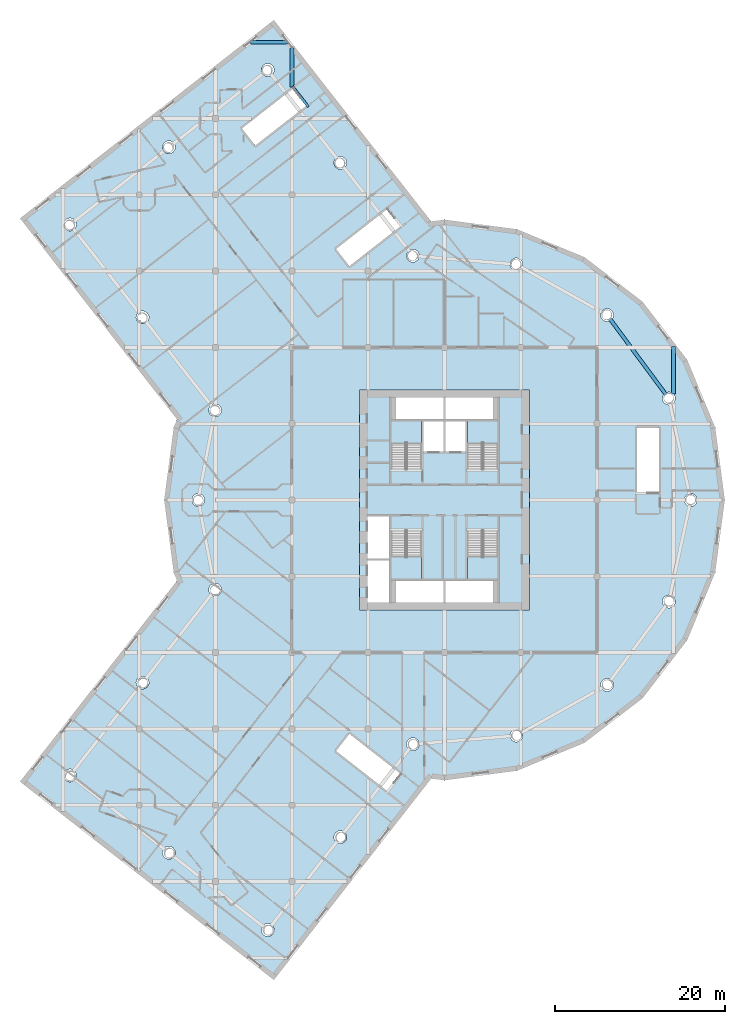
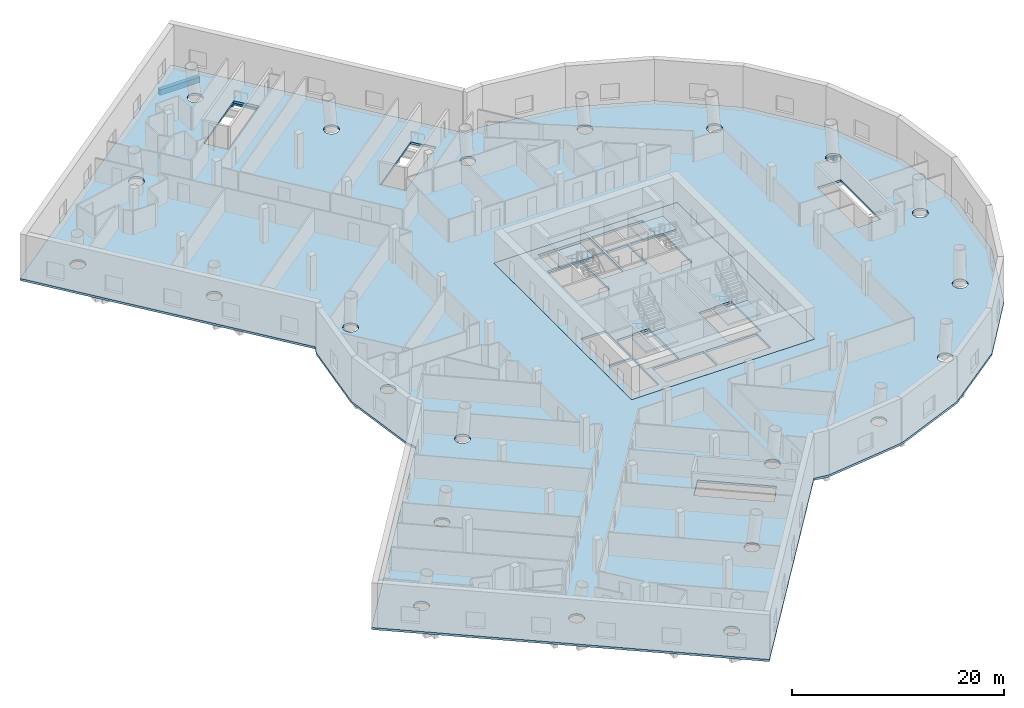
# One storey, part 3 of 15: 6 slabs, 5 beams, 4 elements without a shape of their own.
"""IFC4 building model written with IfcOpenShell, lengths in metres."""

from ifc_helpers import new_model, si_unit, direction, frame, origin, origin_2d, place, context, subcontext, project, spatial, polyline, rectangle, i_section, outline, extrude, material, layer, layer_set, material_profile, profile_set, type_object, element, aggregate, save


model = new_model("IFC4")

# Units and contexts
model_context = context("Model", 3, precision=1e-05, world=origin(), true_north=direction((0.0, 1.0)))
body_context = subcontext(model_context, "Body", "Model", "MODEL_VIEW")
ifc_project = project(units=[si_unit("LENGTHUNIT", "METRE"), si_unit("AREAUNIT", "SQUARE_METRE"), si_unit("VOLUMEUNIT", "CUBIC_METRE"), si_unit("PLANEANGLEUNIT", "RADIAN"), si_unit("MASSUNIT", "GRAM", prefix="KILO")], contexts=[model_context])

# Site, building, storey
site_placement = place(None, origin())
site = spatial("IfcSite", under=ifc_project, at=site_placement, CompositionType="ELEMENT")
building_placement = place(site_placement, origin())
building = spatial("IfcBuilding", under=site, at=building_placement, Name="Tarsis Ring Headquarters", CompositionType="ELEMENT")
storey_placement = place(building_placement, frame((0.0, 0.0, 30.0)))
storey = spatial("IfcBuildingStorey", under=building, at=storey_placement, Name="L05", CompositionType="ELEMENT", Elevation=30.0)

# Beams
ifc_material_1 = material(Name="Concrete C40/50", Category="concrete")
ifc_material_profile_1 = material_profile(ifc_material_1, rectangle(XDim=0.449951171875, YDim=0.64990234375, at=origin_2d()), Name="PO-B450")
ifc_profile_set_1 = profile_set([ifc_material_profile_1], Name="Concrete C40/50")
beam_type_1 = type_object("IfcBeamType", Name="PO-B450", PredefinedType="BEAM", material=ifc_profile_set_1)
beam_1_placement = place(storey_placement, frame((-18.0, 48.7314453125, -0.574951171875), z_axis=(0.0, 1.0, 0.0), x_axis=(-1.0, 0.0, 0.0)))
element("IfcBeam", 1, at=beam_1_placement, inside=storey, type_object=beam_type_1, Name="L05 floor beam 33", PredefinedType="BEAM", context=body_context, shape_type="SweptSolid", body=[
    extrude(rectangle(XDim=0.449951171875, YDim=0.64990234375, at=origin_2d()), origin(), (0.0, 0.0, 1.0), 4.60009765625),
])
beam_2_placement = place(storey_placement, frame((27.0, 12.4990234375, -0.574951171875), z_axis=(0.0, 1.0, 0.0), x_axis=(-1.0, 0.0, 0.0)))
element("IfcBeam", 2, at=beam_2_placement, inside=storey, type_object=beam_type_1, Name="L05 floor beam 58", PredefinedType="BEAM", context=body_context, shape_type="SweptSolid", body=[
    extrude(rectangle(XDim=0.449951171875, YDim=0.64990234375, at=origin_2d()), origin(), (0.0, 0.0, 1.0), 5.58203125),
])
beam_3_placement = place(storey_placement, frame((-22.89794921875, 54.0, -0.574951171875), z_axis=(1.0, 0.0, 0.0), x_axis=(0.0, 1.0, 0.0)))
element("IfcBeam", 3, at=beam_3_placement, inside=storey, type_object=beam_type_1, Name="L05 floor beam 111", PredefinedType="BEAM", context=body_context, shape_type="SweptSolid", body=[
    extrude(rectangle(XDim=0.449951171875, YDim=0.64990234375, at=origin_2d()), origin(), (0.0, 0.0, 1.0), 4.375732421875),
])
ifc_material_2 = material(Name="Concrete C60/75", Category="concrete")
ifc_material_profile_2 = material_profile(ifc_material_2, rectangle(XDim=0.300048828125, YDim=0.300048828125, at=origin_2d()), Name="PO-SHB300")
ifc_profile_set_2 = profile_set([ifc_material_profile_2], Name="Concrete C60/75")
beam_type_2 = type_object("IfcBeamType", Name="PO-SHB300", PredefinedType="BEAM", material=ifc_profile_set_2)
beam_4_placement = place(storey_placement, frame((-17.93212890625, 48.78466796875, -0.39990234375), z_axis=(0.615358201785, -0.788247602911, 0.0), x_axis=(0.788247602911, 0.615358201785, 0.0)))
element("IfcBeam", 4, at=beam_4_placement, inside=storey, type_object=beam_type_2, Name="Stair head beam L05 PS4", PredefinedType="BEAM", context=body_context, shape_type="SweptSolid", body=[
    extrude(rectangle(XDim=0.300048828125, YDim=0.300048828125, at=origin_2d()), origin(), (0.0, 0.0, 1.0), 3.05029296875),
])
ifc_material_3 = material(Name="Structural steel S355", Category="steel")
ifc_material_profile_3 = material_profile(ifc_material_3, i_section(OverallWidth=0.42431640625, OverallDepth=0.947509765625, WebThickness=0.02392578125, FlangeThickness=0.042724609375, at=origin_2d()), Name="W36x302")
ifc_profile_set_3 = profile_set([ifc_material_profile_3], Name="Structural steel S355")
beam_type_3 = type_object("IfcBeamType", Name="XG Ring girder W36x302", PredefinedType="BEAM", material=ifc_profile_set_3)
beam_5_placement = place(storey_placement, frame((26.1396484375, 12.41455078125, -0.7236328125), z_axis=(-0.595024911632, 0.80370725674, 0.0), x_axis=(-0.80370725674, -0.595024911632, 0.0)))
element("IfcBeam", 5, at=beam_5_placement, inside=storey, type_object=beam_type_3, Name="Ring girder XG1", PredefinedType="BEAM", context=body_context, shape_type="SweptSolid", body=[
    extrude(i_section(OverallWidth=0.42431640625, OverallDepth=0.947509765625, WebThickness=0.02392578125, FlangeThickness=0.042724609375, at=origin_2d()), origin(), (0.0, 0.0, 1.0), 11.151611328125),
])

# Slab
ifc_layer_1 = layer(ifc_material_1, 0.25)
ifc_layer_set_1 = layer_set([ifc_layer_1], Name="Core floor slab 250 C40/50")
slab_type_1 = type_object("IfcSlabType", Name="Core floor slab 250 C40/50", PredefinedType="FLOOR", material=ifc_layer_set_1)
slab_1_placement = place(storey_placement, frame((0.0, 0.0, -0.25)))
element("IfcSlab", 6, at=slab_1_placement, inside=storey, type_object=slab_type_1, Name="L05 core floor slab", PredefinedType="FLOOR", context=body_context, shape_type="SweptSolid", body=[
    extrude(outline(polyline([(-10.0, -13.0), (10.0, -13.0), (10.0, 13.0), (-10.0, 13.0), (-10.0, -13.0)]), holes=[polyline([(-2.5, 5.699951171875), (-0.10009765625, 5.699951171875), (-0.10009765625, 9.300048828125), (-2.5, 9.300048828125), (-2.5, 5.699951171875)]), polyline([(0.10009765625, 5.699951171875), (2.5, 5.699951171875), (2.5, 9.300048828125), (0.10009765625, 9.300048828125), (0.10009765625, 5.699951171875)]), polyline([(-9.10009765625, -12.10009765625), (-6.5, -12.10009765625), (-6.5, -7.10009765625), (-9.10009765625, -7.10009765625), (-9.10009765625, -12.10009765625)]), polyline([(-9.10009765625, -6.89990234375), (-6.5, -6.89990234375), (-6.5, -1.89990234375), (-9.10009765625, -1.89990234375), (-9.10009765625, -6.89990234375)]), polyline([(-5.699951171875, 9.5), (-0.10009765625, 9.5), (-0.10009765625, 12.10009765625), (-5.699951171875, 12.10009765625), (-5.699951171875, 9.5)]), polyline([(0.10009765625, 9.5), (5.699951171875, 9.5), (5.699951171875, 12.10009765625), (0.10009765625, 12.10009765625), (0.10009765625, 9.5)]), polyline([(-5.699951171875, -12.10009765625), (-0.10009765625, -12.10009765625), (-0.10009765625, -9.5), (-5.699951171875, -9.5), (-5.699951171875, -12.10009765625)]), polyline([(0.10009765625, -12.10009765625), (5.699951171875, -12.10009765625), (5.699951171875, -9.5), (0.10009765625, -9.5), (0.10009765625, -12.10009765625)]), polyline([(-2.699951171875, 3.760009765625), (-2.699951171875, 9.300048828125), (-6.300048828125, 9.300048828125), (-6.300048828125, 3.659912109375), (-4.4599609375, 3.659912109375), (-4.4599609375, 3.760009765625), (-2.699951171875, 3.760009765625)]), polyline([(6.300048828125, 3.760009765625), (6.300048828125, 9.300048828125), (2.699951171875, 9.300048828125), (2.699951171875, 3.659912109375), (4.5400390625, 3.659912109375), (4.5400390625, 3.760009765625), (6.300048828125, 3.760009765625)]), polyline([(-6.300048828125, -3.760009765625), (-6.300048828125, -9.300048828125), (-2.699951171875, -9.300048828125), (-2.699951171875, -3.659912109375), (-4.5400390625, -3.659912109375), (-4.5400390625, -3.760009765625), (-6.300048828125, -3.760009765625)]), polyline([(2.699951171875, -3.760009765625), (2.699951171875, -9.300048828125), (6.300048828125, -9.300048828125), (6.300048828125, -3.659912109375), (4.4599609375, -3.659912109375), (4.4599609375, -3.760009765625), (2.699951171875, -3.760009765625)])]), origin(), (0.0, 0.0, 1.0), 0.25),
])

# Stair, slab
ifc_material_4 = material(Name="Core stair 1760")
stair_type = type_object("IfcStairType", Name="Core stair 1760", PredefinedType="HALF_TURN_STAIR", material=ifc_material_4)
stair_1_placement = place(storey_placement, origin())
stair_1 = element("IfcStair", 7, at=stair_1_placement, inside=storey, type_object=stair_type, Name="L05 Firefighting stair", PredefinedType="HALF_TURN_STAIR")
ifc_layer_2 = layer(ifc_material_1, 0.199951171875)
ifc_layer_set_2 = layer_set([ifc_layer_2], Name="Core stair landing 200")
slab_type_2 = type_object("IfcSlabType", Name="Core stair landing 200", PredefinedType="LANDING", material=ifc_layer_set_2)
slab_2_placement = place(storey_placement, frame((0.0, 0.0, 1.800048828125)))
slab_2 = element("IfcSlab", 8, at=slab_2_placement, type_object=slab_type_2, Name="Stair ST1 landing 1", PredefinedType="LANDING", context=body_context, shape_type="SweptSolid", body=[
    extrude(outline(polyline([(-2.699951171875, 6.739990234375), (-2.699951171875, 9.300048828125), (-6.300048828125, 9.300048828125), (-6.300048828125, 6.739990234375), (-2.699951171875, 6.739990234375)])), origin(), (0.0, 0.0, 1.0), 0.199951171875),
])
aggregate(stair_1, [slab_2])

stair_2_placement = place(storey_placement, origin())
stair_2 = element("IfcStair", 9, at=stair_2_placement, inside=storey, type_object=stair_type, Name="L05 Exit stair B", PredefinedType="HALF_TURN_STAIR")
slab_3_placement = place(storey_placement, frame((0.0, 0.0, 1.800048828125)))
slab_3 = element("IfcSlab", 10, at=slab_3_placement, type_object=slab_type_2, Name="Stair ST2 landing 1", PredefinedType="LANDING", context=body_context, shape_type="SweptSolid", body=[
    extrude(outline(polyline([(6.300048828125, 6.739990234375), (6.300048828125, 9.300048828125), (2.699951171875, 9.300048828125), (2.699951171875, 6.739990234375), (6.300048828125, 6.739990234375)])), origin(), (0.0, 0.0, 1.0), 0.199951171875),
])
aggregate(stair_2, [slab_3])

stair_3_placement = place(storey_placement, origin())
stair_3 = element("IfcStair", 11, at=stair_3_placement, inside=storey, type_object=stair_type, Name="L05 Exit stair C", PredefinedType="HALF_TURN_STAIR")
slab_4_placement = place(storey_placement, frame((0.0, 0.0, 1.800048828125)))
slab_4 = element("IfcSlab", 12, at=slab_4_placement, type_object=slab_type_2, Name="Stair ST3 landing 1", PredefinedType="LANDING", context=body_context, shape_type="SweptSolid", body=[
    extrude(outline(polyline([(-6.300048828125, -6.739990234375), (-6.300048828125, -9.300048828125), (-2.699951171875, -9.300048828125), (-2.699951171875, -6.739990234375), (-6.300048828125, -6.739990234375)])), origin(), (0.0, 0.0, 1.0), 0.199951171875),
])
aggregate(stair_3, [slab_4])

stair_4_placement = place(storey_placement, origin())
stair_4 = element("IfcStair", 13, at=stair_4_placement, inside=storey, type_object=stair_type, Name="L05 Exit stair D", PredefinedType="HALF_TURN_STAIR")
slab_5_placement = place(storey_placement, frame((0.0, 0.0, 1.800048828125)))
slab_5 = element("IfcSlab", 14, at=slab_5_placement, type_object=slab_type_2, Name="Stair ST4 landing 1", PredefinedType="LANDING", context=body_context, shape_type="SweptSolid", body=[
    extrude(outline(polyline([(2.699951171875, -6.739990234375), (2.699951171875, -9.300048828125), (6.300048828125, -9.300048828125), (6.300048828125, -6.739990234375), (2.699951171875, -6.739990234375)])), origin(), (0.0, 0.0, 1.0), 0.199951171875),
])
aggregate(stair_4, [slab_5])

# Slab
ifc_layer_3 = layer(ifc_material_1, 0.25)
ifc_layer_set_3 = layer_set([ifc_layer_3], Name="PO-S250")
slab_type_3 = type_object("IfcSlabType", Name="PO-S250", PredefinedType="FLOOR", material=ifc_layer_set_3)
slab_6_placement = place(storey_placement, frame((0.0, 0.0, -0.25)))
element("IfcSlab", 15, at=slab_6_placement, inside=storey, type_object=slab_type_3, Name="L05 podium floor slab", PredefinedType="FLOOR", context=body_context, shape_type="SweptSolid", body=[
    extrude(outline(polyline([(-50.06494140625, 33.218994140625), (-31.539794921875, 9.508056640625), (-31.933837890625, 8.556640625), (-33.060302734375, 0.0), (-31.933837890625, -8.556640625), (-31.539794921875, -9.508056640625), (-50.06494140625, -33.218994140625), (-20.12060546875, -56.6142578125), (-1.55810546875, -32.855224609375), (0.0, -33.060302734375), (8.556640625, -31.933837890625), (16.5302734375, -28.631103515625), (23.377197265625, -23.377197265625), (28.631103515625, -16.5302734375), (31.933837890625, -8.556640625), (33.060302734375, 0.0), (31.933837890625, 8.556640625), (28.631103515625, 16.5302734375), (23.377197265625, 23.377197265625), (16.5302734375, 28.631103515625), (8.556640625, 31.933837890625), (0.0, 33.060302734375), (-1.55810546875, 32.855224609375), (-20.12060546875, 56.6142578125), (-50.06494140625, 33.218994140625)]), holes=[polyline([(-20.844482421875, -51.46875), (-21.03857421875, -51.443115234375), (-21.219482421875, -51.3681640625), (-21.374755859375, -51.2490234375), (-21.493896484375, -51.09375), (-21.56884765625, -50.912841796875), (-21.594482421875, -50.71875), (-21.56884765625, -50.524658203125), (-21.493896484375, -50.34375), (-21.374755859375, -50.1884765625), (-21.219482421875, -50.0693359375), (-21.03857421875, -49.994384765625), (-20.844482421875, -49.96875), (-20.650146484375, -49.994384765625), (-20.469482421875, -50.0693359375), (-20.31396484375, -50.1884765625), (-20.19482421875, -50.34375), (-20.119873046875, -50.524658203125), (-20.094482421875, -50.71875), (-20.119873046875, -50.912841796875), (-20.19482421875, -51.09375), (-20.31396484375, -51.2490234375), (-20.469482421875, -51.3681640625), (-20.650146484375, -51.443115234375), (-20.844482421875, -51.46875)]), polyline([(-32.700927734375, -42.331298828125), (-32.8818359375, -42.256591796875), (-33.037353515625, -42.13720703125), (-33.156494140625, -41.98193359375), (-33.2314453125, -41.801025390625), (-33.2568359375, -41.60693359375), (-33.2314453125, -41.412841796875), (-33.156494140625, -41.23193359375), (-33.037353515625, -41.07666015625), (-32.8818359375, -40.95751953125), (-32.700927734375, -40.882568359375), (-32.5068359375, -40.85693359375), (-32.312744140625, -40.882568359375), (-32.1318359375, -40.95751953125), (-31.9765625, -41.07666015625), (-31.857421875, -41.23193359375), (-31.782470703125, -41.412841796875), (-31.7568359375, -41.60693359375), (-31.782470703125, -41.801025390625), (-31.857421875, -41.98193359375), (-31.9765625, -42.13720703125), (-32.1318359375, -42.256591796875), (-32.312744140625, -42.331298828125), (-32.5068359375, -42.35693359375), (-32.700927734375, -42.331298828125)]), polyline([(-12.4794921875, -40.488037109375), (-12.660400390625, -40.4130859375), (-12.815673828125, -40.2939453125), (-12.934814453125, -40.138671875), (-13.009765625, -39.957763671875), (-13.035400390625, -39.763671875), (-13.009765625, -39.569580078125), (-12.934814453125, -39.388671875), (-12.815673828125, -39.2333984375), (-12.660400390625, -39.114013671875), (-12.4794921875, -39.039306640625), (-12.285400390625, -39.013671875), (-12.091064453125, -39.039306640625), (-11.910400390625, -39.114013671875), (-11.7548828125, -39.2333984375), (-11.6357421875, -39.388671875), (-11.560791015625, -39.569580078125), (-11.535400390625, -39.763671875), (-11.560791015625, -39.957763671875), (-11.6357421875, -40.138671875), (-11.7548828125, -40.2939453125), (-11.910400390625, -40.4130859375), (-12.091064453125, -40.488037109375), (-12.285400390625, -40.513671875), (-12.4794921875, -40.488037109375)]), polyline([(-44.16943359375, -33.2451171875), (-44.363525390625, -33.2197265625), (-44.54443359375, -33.144775390625), (-44.69970703125, -33.025390625), (-44.819091796875, -32.8701171875), (-44.89404296875, -32.689208984375), (-44.91943359375, -32.4951171875), (-44.89404296875, -32.301025390625), (-44.819091796875, -32.1201171875), (-44.69970703125, -31.96484375), (-44.54443359375, -31.845703125), (-44.363525390625, -31.770751953125), (-44.16943359375, -31.7451171875), (-43.975341796875, -31.770751953125), (-43.79443359375, -31.845703125), (-43.63916015625, -31.96484375), (-43.52001953125, -32.1201171875), (-43.445068359375, -32.301025390625), (-43.41943359375, -32.4951171875), (-43.445068359375, -32.689208984375), (-43.52001953125, -32.8701171875), (-43.63916015625, -33.025390625), (-43.79443359375, -33.144775390625), (-43.975341796875, -33.2197265625), (-44.16943359375, -33.2451171875)]), polyline([(-35.804443359375, -22.264404296875), (-35.9853515625, -22.189697265625), (-36.140625, -22.0703125), (-36.260009765625, -21.9150390625), (-36.3349609375, -21.734130859375), (-36.3603515625, -21.5400390625), (-36.3349609375, -21.345947265625), (-36.260009765625, -21.1650390625), (-36.140625, -21.009765625), (-35.9853515625, -20.890625), (-35.804443359375, -20.815673828125), (-35.6103515625, -20.7900390625), (-35.416259765625, -20.815673828125), (-35.2353515625, -20.890625), (-35.080078125, -21.009765625), (-34.9609375, -21.1650390625), (-34.885986328125, -21.345947265625), (-34.8603515625, -21.5400390625), (-34.885986328125, -21.734130859375), (-34.9609375, -21.9150390625), (-35.080078125, -22.0703125), (-35.2353515625, -22.189697265625), (-35.416259765625, -22.264404296875), (-35.6103515625, -22.2900390625), (-35.804443359375, -22.264404296875)]), polyline([(-27.245361328125, -11.309326171875), (-27.42626953125, -11.234375), (-27.581787109375, -11.115234375), (-27.700927734375, -10.9599609375), (-27.77587890625, -10.779052734375), (-27.80126953125, -10.5849609375), (-27.77587890625, -10.390869140625), (-27.700927734375, -10.2099609375), (-27.581787109375, -10.0546875), (-27.42626953125, -9.935546875), (-27.245361328125, -9.860595703125), (-27.05126953125, -9.8349609375), (-26.857177734375, -9.860595703125), (-26.67626953125, -9.935546875), (-26.52099609375, -10.0546875), (-26.40185546875, -10.2099609375), (-26.326904296875, -10.390869140625), (-26.30126953125, -10.5849609375), (-26.326904296875, -10.779052734375), (-26.40185546875, -10.9599609375), (-26.52099609375, -11.115234375), (-26.67626953125, -11.234375), (-26.857177734375, -11.309326171875), (-27.05126953125, -11.3349609375), (-27.245361328125, -11.309326171875)]), polyline([(-29.048583984375, -0.75), (-29.24267578125, -0.724365234375), (-29.423583984375, -0.6494140625), (-29.578857421875, -0.5302734375), (-29.697998046875, -0.375), (-29.77294921875, -0.194091796875), (-29.798583984375, 0.0), (-29.77294921875, 0.194091796875), (-29.697998046875, 0.375), (-29.578857421875, 0.5302734375), (-29.423583984375, 0.6494140625), (-29.24267578125, 0.724365234375), (-29.048583984375, 0.75), (-28.8544921875, 0.724365234375), (-28.673583984375, 0.6494140625), (-28.51806640625, 0.5302734375), (-28.39892578125, 0.375), (-28.323974609375, 0.194091796875), (-28.298583984375, 0.0), (-28.323974609375, -0.194091796875), (-28.39892578125, -0.375), (-28.51806640625, -0.5302734375), (-28.673583984375, -0.6494140625), (-28.8544921875, -0.724365234375), (-29.048583984375, -0.75)]), polyline([(-27.245361328125, 9.860595703125), (-27.42626953125, 9.935546875), (-27.581787109375, 10.0546875), (-27.700927734375, 10.2099609375), (-27.77587890625, 10.390869140625), (-27.80126953125, 10.5849609375), (-27.77587890625, 10.779052734375), (-27.700927734375, 10.9599609375), (-27.581787109375, 11.115234375), (-27.42626953125, 11.234375), (-27.245361328125, 11.309326171875), (-27.05126953125, 11.3349609375), (-26.857177734375, 11.309326171875), (-26.67626953125, 11.234375), (-26.52099609375, 11.115234375), (-26.40185546875, 10.9599609375), (-26.326904296875, 10.779052734375), (-26.30126953125, 10.5849609375), (-26.326904296875, 10.390869140625), (-26.40185546875, 10.2099609375), (-26.52099609375, 10.0546875), (-26.67626953125, 9.935546875), (-26.857177734375, 9.860595703125), (-27.05126953125, 9.8349609375), (-27.245361328125, 9.860595703125)]), polyline([(-35.804443359375, 20.815673828125), (-35.9853515625, 20.890625), (-36.140625, 21.009765625), (-36.260009765625, 21.1650390625), (-36.3349609375, 21.345947265625), (-36.3603515625, 21.5400390625), (-36.3349609375, 21.734130859375), (-36.260009765625, 21.9150390625), (-36.140625, 22.0703125), (-35.9853515625, 22.189697265625), (-35.804443359375, 22.264404296875), (-35.6103515625, 22.2900390625), (-35.416259765625, 22.264404296875), (-35.2353515625, 22.189697265625), (-35.080078125, 22.0703125), (-34.9609375, 21.9150390625), (-34.885986328125, 21.734130859375), (-34.8603515625, 21.5400390625), (-34.885986328125, 21.345947265625), (-34.9609375, 21.1650390625), (-35.080078125, 21.009765625), (-35.2353515625, 20.890625), (-35.416259765625, 20.815673828125), (-35.6103515625, 20.7900390625), (-35.804443359375, 20.815673828125)]), polyline([(-44.363525390625, 31.770751953125), (-44.54443359375, 31.845703125), (-44.69970703125, 31.96484375), (-44.819091796875, 32.1201171875), (-44.89404296875, 32.301025390625), (-44.91943359375, 32.4951171875), (-44.89404296875, 32.689208984375), (-44.819091796875, 32.8701171875), (-44.69970703125, 33.025390625), (-44.54443359375, 33.144775390625), (-44.363525390625, 33.2197265625), (-44.16943359375, 33.2451171875), (-43.975341796875, 33.2197265625), (-43.79443359375, 33.144775390625), (-43.63916015625, 33.025390625), (-43.52001953125, 32.8701171875), (-43.445068359375, 32.689208984375), (-43.41943359375, 32.4951171875), (-43.445068359375, 32.301025390625), (-43.52001953125, 32.1201171875), (-43.63916015625, 31.96484375), (-43.79443359375, 31.845703125), (-43.975341796875, 31.770751953125), (-44.16943359375, 31.7451171875), (-44.363525390625, 31.770751953125)]), polyline([(-32.700927734375, 40.882568359375), (-32.8818359375, 40.95751953125), (-33.037353515625, 41.07666015625), (-33.156494140625, 41.23193359375), (-33.2314453125, 41.412841796875), (-33.2568359375, 41.60693359375), (-33.2314453125, 41.801025390625), (-33.156494140625, 41.98193359375), (-33.037353515625, 42.13720703125), (-32.8818359375, 42.256591796875), (-32.700927734375, 42.331298828125), (-32.5068359375, 42.35693359375), (-32.312744140625, 42.331298828125), (-32.1318359375, 42.256591796875), (-31.9765625, 42.13720703125), (-31.857421875, 41.98193359375), (-31.782470703125, 41.801025390625), (-31.7568359375, 41.60693359375), (-31.782470703125, 41.412841796875), (-31.857421875, 41.23193359375), (-31.9765625, 41.07666015625), (-32.1318359375, 40.95751953125), (-32.312744140625, 40.882568359375), (-32.5068359375, 40.85693359375), (-32.700927734375, 40.882568359375)]), polyline([(-17.197509765625, 47.5185546875), (-17.11865234375, 47.580078125), (-16.287841796875, 46.515869140625), (-22.310302734375, 41.81494140625), (-23.87939453125, 43.824951171875), (-17.935791015625, 48.464599609375), (-17.197509765625, 47.5185546875)]), polyline([(-21.03857421875, 49.994384765625), (-21.219482421875, 50.0693359375), (-21.374755859375, 50.1884765625), (-21.493896484375, 50.34375), (-21.56884765625, 50.524658203125), (-21.594482421875, 50.71875), (-21.56884765625, 50.912841796875), (-21.493896484375, 51.09375), (-21.374755859375, 51.2490234375), (-21.219482421875, 51.3681640625), (-21.03857421875, 51.443115234375), (-20.844482421875, 51.46875), (-20.650146484375, 51.443115234375), (-20.469482421875, 51.3681640625), (-20.31396484375, 51.2490234375), (-20.19482421875, 51.09375), (-20.119873046875, 50.912841796875), (-20.094482421875, 50.71875), (-20.119873046875, 50.524658203125), (-20.19482421875, 50.34375), (-20.31396484375, 50.1884765625), (-20.469482421875, 50.0693359375), (-20.650146484375, 49.994384765625), (-20.844482421875, 49.96875), (-21.03857421875, 49.994384765625)]), polyline([(-5.266845703125, -32.234375), (-6.005126953125, -33.180419921875), (-5.92626953125, -33.241943359375), (-6.757080078125, -34.305908203125), (-12.779541015625, -29.60498046875), (-11.21044921875, -27.594970703125), (-5.266845703125, -32.234375)]), polyline([(-3.92041015625, -29.532958984375), (-4.101318359375, -29.4580078125), (-4.256591796875, -29.3388671875), (-4.375732421875, -29.18359375), (-4.45068359375, -29.002685546875), (-4.476318359375, -28.80859375), (-4.45068359375, -28.614501953125), (-4.375732421875, -28.43359375), (-4.256591796875, -28.2783203125), (-4.101318359375, -28.158935546875), (-3.92041015625, -28.083984375), (-3.726318359375, -28.05859375), (-3.5322265625, -28.083984375), (-3.351318359375, -28.158935546875), (-3.19580078125, -28.2783203125), (-3.07666015625, -28.43359375), (-3.001708984375, -28.614501953125), (-2.976318359375, -28.80859375), (-3.001708984375, -29.002685546875), (-3.07666015625, -29.18359375), (-3.19580078125, -29.3388671875), (-3.351318359375, -29.4580078125), (-3.5322265625, -29.532958984375), (-3.726318359375, -29.55859375), (-3.92041015625, -29.532958984375)]), polyline([(8.28564453125, -28.5078125), (8.104736328125, -28.432861328125), (7.94921875, -28.313720703125), (7.830078125, -28.158203125), (7.755126953125, -27.977294921875), (7.729736328125, -27.783203125), (7.755126953125, -27.589111328125), (7.830078125, -27.408203125), (7.94921875, -27.2529296875), (8.104736328125, -27.1337890625), (8.28564453125, -27.058837890625), (8.479736328125, -27.033203125), (8.673828125, -27.058837890625), (8.854736328125, -27.1337890625), (9.010009765625, -27.2529296875), (9.129150390625, -27.408203125), (9.2041015625, -27.589111328125), (9.229736328125, -27.783203125), (9.2041015625, -27.977294921875), (9.129150390625, -28.158203125), (9.010009765625, -28.313720703125), (8.854736328125, -28.432861328125), (8.673828125, -28.5078125), (8.479736328125, -28.533203125), (8.28564453125, -28.5078125)]), polyline([(19.177734375, -22.568115234375), (18.983642578125, -22.54248046875), (18.802734375, -22.467529296875), (18.6474609375, -22.348388671875), (18.5283203125, -22.193115234375), (18.453369140625, -22.01220703125), (18.427734375, -21.818115234375), (18.453369140625, -21.6240234375), (18.5283203125, -21.443115234375), (18.6474609375, -21.287841796875), (18.802734375, -21.16845703125), (18.983642578125, -21.09375), (19.177734375, -21.068115234375), (19.371826171875, -21.09375), (19.552734375, -21.16845703125), (19.7080078125, -21.287841796875), (19.827392578125, -21.443115234375), (19.90234375, -21.6240234375), (19.927734375, -21.818115234375), (19.90234375, -22.01220703125), (19.827392578125, -22.193115234375), (19.7080078125, -22.348388671875), (19.552734375, -22.467529296875), (19.371826171875, -22.54248046875), (19.177734375, -22.568115234375)]), polyline([(26.27197265625, -12.697998046875), (26.091064453125, -12.623046875), (25.935791015625, -12.50390625), (25.81640625, -12.3486328125), (25.74169921875, -12.167724609375), (25.716064453125, -11.9736328125), (25.74169921875, -11.779296875), (25.81640625, -11.5986328125), (25.935791015625, -11.443115234375), (26.091064453125, -11.323974609375), (26.27197265625, -11.2490234375), (26.466064453125, -11.2236328125), (26.66015625, -11.2490234375), (26.841064453125, -11.323974609375), (26.996337890625, -11.443115234375), (27.115478515625, -11.5986328125), (27.1904296875, -11.779296875), (27.216064453125, -11.9736328125), (27.1904296875, -12.167724609375), (27.115478515625, -12.3486328125), (26.996337890625, -12.50390625), (26.841064453125, -12.623046875), (26.66015625, -12.697998046875), (26.466064453125, -12.7236328125), (26.27197265625, -12.697998046875)]), polyline([(28.8544921875, -0.724365234375), (28.673583984375, -0.6494140625), (28.51806640625, -0.5302734375), (28.39892578125, -0.375), (28.323974609375, -0.194091796875), (28.298583984375, 0.0), (28.323974609375, 0.194091796875), (28.39892578125, 0.375), (28.51806640625, 0.5302734375), (28.673583984375, 0.6494140625), (28.8544921875, 0.724365234375), (29.048583984375, 0.75), (29.24267578125, 0.724365234375), (29.423583984375, 0.6494140625), (29.578857421875, 0.5302734375), (29.697998046875, 0.375), (29.77294921875, 0.194091796875), (29.798583984375, 0.0), (29.77294921875, -0.194091796875), (29.697998046875, -0.375), (29.578857421875, -0.5302734375), (29.423583984375, -0.6494140625), (29.24267578125, -0.724365234375), (29.048583984375, -0.75), (28.8544921875, -0.724365234375)]), polyline([(25.27490234375, 0.97998046875), (24.074951171875, 0.97998046875), (24.074951171875, 0.8798828125), (22.72509765625, 0.8798828125), (22.72509765625, 8.52001953125), (25.27490234375, 8.52001953125), (25.27490234375, 0.97998046875)]), polyline([(26.27197265625, 11.2490234375), (26.091064453125, 11.323974609375), (25.935791015625, 11.443115234375), (25.81640625, 11.5986328125), (25.74169921875, 11.779296875), (25.716064453125, 11.9736328125), (25.74169921875, 12.167724609375), (25.81640625, 12.3486328125), (25.935791015625, 12.50390625), (26.091064453125, 12.623046875), (26.27197265625, 12.697998046875), (26.466064453125, 12.7236328125), (26.66015625, 12.697998046875), (26.841064453125, 12.623046875), (26.996337890625, 12.50390625), (27.115478515625, 12.3486328125), (27.1904296875, 12.167724609375), (27.216064453125, 11.9736328125), (27.1904296875, 11.779296875), (27.115478515625, 11.5986328125), (26.996337890625, 11.443115234375), (26.841064453125, 11.323974609375), (26.66015625, 11.2490234375), (26.466064453125, 11.2236328125), (26.27197265625, 11.2490234375)]), polyline([(18.983642578125, 21.09375), (18.802734375, 21.16845703125), (18.6474609375, 21.287841796875), (18.5283203125, 21.443115234375), (18.453369140625, 21.6240234375), (18.427734375, 21.818115234375), (18.453369140625, 22.01220703125), (18.5283203125, 22.193115234375), (18.6474609375, 22.348388671875), (18.802734375, 22.467529296875), (18.983642578125, 22.54248046875), (19.177734375, 22.568115234375), (19.371826171875, 22.54248046875), (19.552734375, 22.467529296875), (19.7080078125, 22.348388671875), (19.827392578125, 22.193115234375), (19.90234375, 22.01220703125), (19.927734375, 21.818115234375), (19.90234375, 21.6240234375), (19.827392578125, 21.443115234375), (19.7080078125, 21.287841796875), (19.552734375, 21.16845703125), (19.371826171875, 21.09375), (19.177734375, 21.068115234375), (18.983642578125, 21.09375)]), polyline([(8.28564453125, 27.058837890625), (8.104736328125, 27.1337890625), (7.94921875, 27.2529296875), (7.830078125, 27.408203125), (7.755126953125, 27.589111328125), (7.729736328125, 27.783203125), (7.755126953125, 27.977294921875), (7.830078125, 28.158203125), (7.94921875, 28.313720703125), (8.104736328125, 28.432861328125), (8.28564453125, 28.5078125), (8.479736328125, 28.533203125), (8.673828125, 28.5078125), (8.854736328125, 28.432861328125), (9.010009765625, 28.313720703125), (9.129150390625, 28.158203125), (9.2041015625, 27.977294921875), (9.229736328125, 27.783203125), (9.2041015625, 27.589111328125), (9.129150390625, 27.408203125), (9.010009765625, 27.2529296875), (8.854736328125, 27.1337890625), (8.673828125, 27.058837890625), (8.479736328125, 27.033203125), (8.28564453125, 27.058837890625)]), polyline([(-3.92041015625, 28.083984375), (-4.101318359375, 28.158935546875), (-4.256591796875, 28.2783203125), (-4.375732421875, 28.43359375), (-4.45068359375, 28.614501953125), (-4.476318359375, 28.80859375), (-4.45068359375, 29.002685546875), (-4.375732421875, 29.18359375), (-4.256591796875, 29.3388671875), (-4.101318359375, 29.4580078125), (-3.92041015625, 29.532958984375), (-3.726318359375, 29.55859375), (-3.5322265625, 29.532958984375), (-3.351318359375, 29.4580078125), (-3.19580078125, 29.3388671875), (-3.07666015625, 29.18359375), (-3.001708984375, 29.002685546875), (-2.976318359375, 28.80859375), (-3.001708984375, 28.614501953125), (-3.07666015625, 28.43359375), (-3.19580078125, 28.2783203125), (-3.351318359375, 28.158935546875), (-3.5322265625, 28.083984375), (-3.726318359375, 28.05859375), (-3.92041015625, 28.083984375)]), polyline([(-6.097412109375, 33.298583984375), (-6.0185546875, 33.360107421875), (-5.18798828125, 32.2958984375), (-11.21044921875, 27.594970703125), (-12.779541015625, 29.60498046875), (-6.8359375, 34.244384765625), (-6.097412109375, 33.298583984375)]), polyline([(-12.4794921875, 39.039306640625), (-12.660400390625, 39.114013671875), (-12.815673828125, 39.2333984375), (-12.934814453125, 39.388671875), (-13.009765625, 39.569580078125), (-13.035400390625, 39.763671875), (-13.009765625, 39.957763671875), (-12.934814453125, 40.138671875), (-12.815673828125, 40.2939453125), (-12.660400390625, 40.4130859375), (-12.4794921875, 40.488037109375), (-12.285400390625, 40.513671875), (-12.091064453125, 40.488037109375), (-11.910400390625, 40.4130859375), (-11.7548828125, 40.2939453125), (-11.6357421875, 40.138671875), (-11.560791015625, 39.957763671875), (-11.535400390625, 39.763671875), (-11.560791015625, 39.569580078125), (-11.6357421875, 39.388671875), (-11.7548828125, 39.2333984375), (-11.910400390625, 39.114013671875), (-12.091064453125, 39.039306640625), (-12.285400390625, 39.013671875), (-12.4794921875, 39.039306640625)]), polyline([(10.0, -13.0), (10.0, 13.0), (-10.0, 13.0), (-10.0, -13.0), (10.0, -13.0)])]), origin(), (0.0, 0.0, 1.0), 0.25),
])

save(model, "model.ifc")
